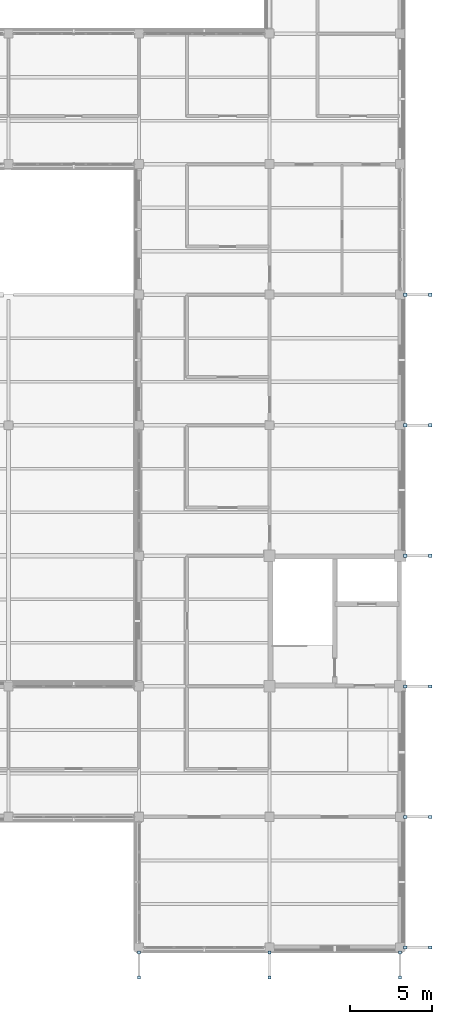
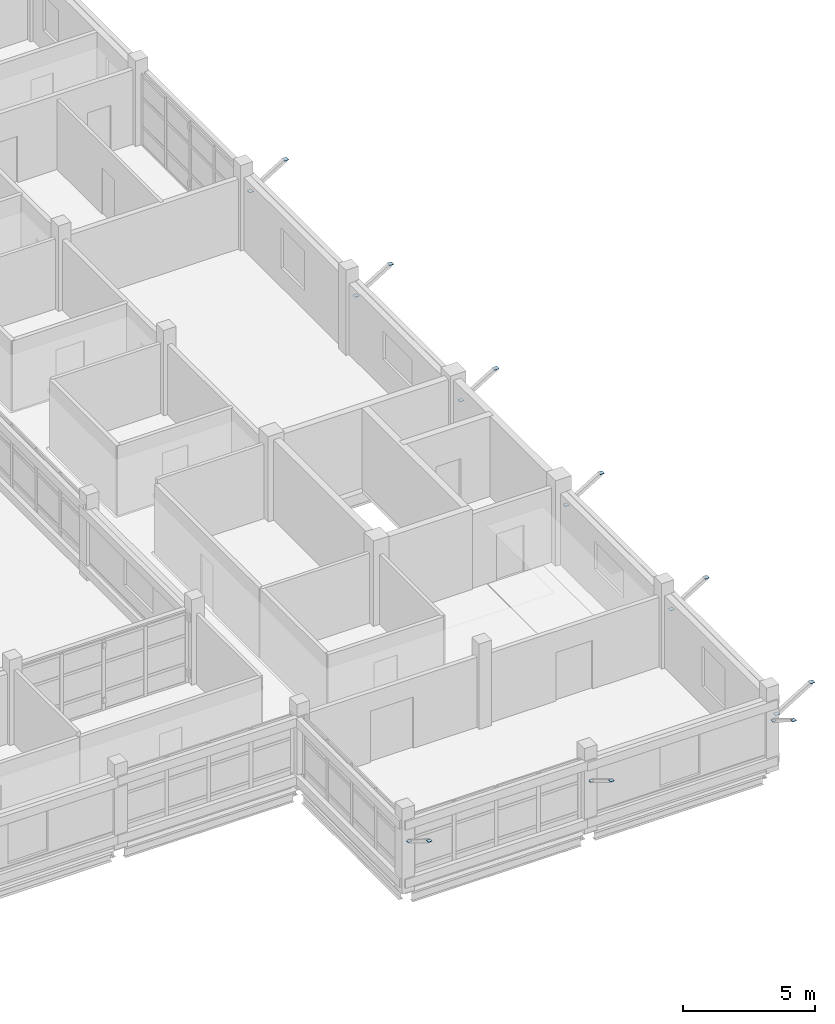
# One storey, part 72 of 107: 18 plates.
"""IFC4 building model written with IfcOpenShell, lengths in metres."""

from ifc_helpers import new_model, si_unit, derived_unit, direction, frame, origin, origin_2d, place, context, subcontext, project, spatial, rectangle, extrude, material, layer, layer_set, type_object, element, save


model = new_model("IFC4")

# Units and contexts
model_context = context("Model", 3, precision=1e-05, world=origin(), true_north=direction((0.0, 1.0)))
body_context = subcontext(model_context, "Body", "Model", "MODEL_VIEW")
ifc_project = project(units=[si_unit("LENGTHUNIT", "METRE"), si_unit("AREAUNIT", "SQUARE_METRE"), si_unit("VOLUMEUNIT", "CUBIC_METRE"), si_unit("PLANEANGLEUNIT", "RADIAN"), si_unit("MASSUNIT", "GRAM", prefix="KILO"), derived_unit("THERMALTRANSMITTANCEUNIT", [(si_unit("MASSUNIT", "GRAM", prefix="KILO"), 1), (si_unit("TIMEUNIT", "SECOND"), -3), (si_unit("THERMODYNAMICTEMPERATUREUNIT", "KELVIN"), -1)])], contexts=[model_context])

# Site, building, storey
site_placement = place(None, origin())
site = spatial("IfcSite", under=ifc_project, at=site_placement, CompositionType="ELEMENT")
building_placement = place(site_placement, origin())
building = spatial("IfcBuilding", under=site, at=building_placement, Name="Veyamyaing Civic Hall", CompositionType="ELEMENT")
storey_placement = place(building_placement, frame((0.0, 0.0, 13.860107421875)))
storey = spatial("IfcBuildingStorey", under=building, at=storey_placement, Name="L03", CompositionType="ELEMENT", Elevation=13.860107421875)

# Plates
ifc_material = material(Name="Steel S355J2", Category="steel")
ifc_layer_1 = layer(ifc_material, 0.01611328125, Name="Steel S355J2")
ifc_layer_set_1 = layer_set([ifc_layer_1], Name="Steel S355J2")
plate_type_1 = type_object("IfcPlateType", Name="GP-03", PredefinedType="SHEET", material=ifc_layer_set_1)
for number, where, z_axis, x_axis, name in (
    (1, (176.320068359375, 0.0, 2.40185546875), (0.0, 0.0, 1.0), (1.0, 0.0, 0.0), "Eave strut end-cap plate GP-03 V3-E.0.1"),
    (2, (177.85009765625, 0.0, 3.341796875), (0.0, 0.0, 1.0), (1.0, 0.0, 0.0), "Eave strut end-cap plate GP-03 V3-E.0.2"),
    (3, (176.320068359375, 8.0, 2.40185546875), (0.0, 0.0, 1.0), (1.0, 0.0, 0.0), "Eave strut end-cap plate GP-03 V3-E.1.1"),
    (4, (177.85009765625, 8.0, 3.341796875), (0.0, 0.0, 1.0), (1.0, 0.0, 0.0), "Eave strut end-cap plate GP-03 V3-E.1.2"),
    (5, (176.320068359375, 16.0, 2.40185546875), (0.0, 0.0, 1.0), (1.0, 0.0, 0.0), "Eave strut end-cap plate GP-03 V3-E.2.1"),
    (6, (177.85009765625, 16.0, 3.341796875), (0.0, 0.0, 1.0), (1.0, 0.0, 0.0), "Eave strut end-cap plate GP-03 V3-E.2.2"),
    (7, (176.320068359375, 24.0, 2.40185546875), (0.0, 0.0, 1.0), (1.0, 0.0, 0.0), "Eave strut end-cap plate GP-03 V3-E.3.1"),
    (8, (177.85009765625, 24.0, 3.341796875), (0.0, 0.0, 1.0), (1.0, 0.0, 0.0), "Eave strut end-cap plate GP-03 V3-E.3.2"),
    (9, (176.320068359375, 32.0, 2.40185546875), (0.0, 0.0, 1.0), (1.0, 0.0, 0.0), "Eave strut end-cap plate GP-03 V3-E.4.1"),
    (10, (177.85009765625, 32.0, 3.341796875), (0.0, 0.0, 1.0), (1.0, 0.0, 0.0), "Eave strut end-cap plate GP-03 V3-E.4.2"),
    (11, (176.320068359375, 40.0, 2.40185546875), (0.0, 0.0, 1.0), (1.0, 0.0, 0.0), "Eave strut end-cap plate GP-03 V3-E.5.1"),
    (12, (177.85009765625, 40.0, 3.341796875), (0.0, 0.0, 1.0), (1.0, 0.0, 0.0), "Eave strut end-cap plate GP-03 V3-E.5.2"),
):
    element("IfcPlate", number, at=place(storey_placement, frame(where, z_axis=z_axis, x_axis=x_axis)), inside=storey, type_object=plate_type_1, Name=name, PredefinedType="SHEET", context=body_context, shape_type="SweptSolid", body=[
        extrude(rectangle(XDim=0.18994140625, YDim=0.18994140625, at=origin_2d()), origin(), (0.0, 0.0, 1.0), 0.01611328125),
    ])
ifc_layer_2 = layer(ifc_material, 0.013916015625, Name="Steel S355J2")
ifc_layer_set_2 = layer_set([ifc_layer_2], Name="Steel S355J2")
plate_type_2 = type_object("IfcPlateType", Name="GP-06", PredefinedType="SHEET", material=ifc_layer_set_2)
for number, where, z_axis, x_axis, name in (
    (13, (160.0, -0.320068359375, 2.40283203125), (0.0, 0.0, 1.0), (0.0, 1.0, 0.0), "Eave strut end-cap plate GP-06 V3-S.20.1"),
    (14, (160.0, -1.85009765625, 3.3427734375), (0.0, 0.0, 1.0), (0.0, 1.0, 0.0), "Eave strut end-cap plate GP-06 V3-S.20.2"),
    (15, (168.0, -0.320068359375, 2.40283203125), (0.0, 0.0, 1.0), (0.0, 1.0, 0.0), "Eave strut end-cap plate GP-06 V3-S.21.1"),
    (16, (168.0, -1.85009765625, 3.3427734375), (0.0, 0.0, 1.0), (0.0, 1.0, 0.0), "Eave strut end-cap plate GP-06 V3-S.21.2"),
    (17, (176.0, -0.320068359375, 2.40283203125), (0.0, 0.0, 1.0), (0.0, 1.0, 0.0), "Eave strut end-cap plate GP-06 V3-S.22.1"),
    (18, (176.0, -1.85009765625, 3.3427734375), (0.0, 0.0, 1.0), (0.0, 1.0, 0.0), "Eave strut end-cap plate GP-06 V3-S.22.2"),
):
    element("IfcPlate", number, at=place(storey_placement, frame(where, z_axis=z_axis, x_axis=x_axis)), inside=storey, type_object=plate_type_2, Name=name, PredefinedType="SHEET", context=body_context, shape_type="SweptSolid", body=[
        extrude(rectangle(XDim=0.1650390625, YDim=0.1650390625, at=origin_2d()), origin(), (0.0, 0.0, 1.0), 0.013916015625),
    ])

save(model, "model.ifc")
